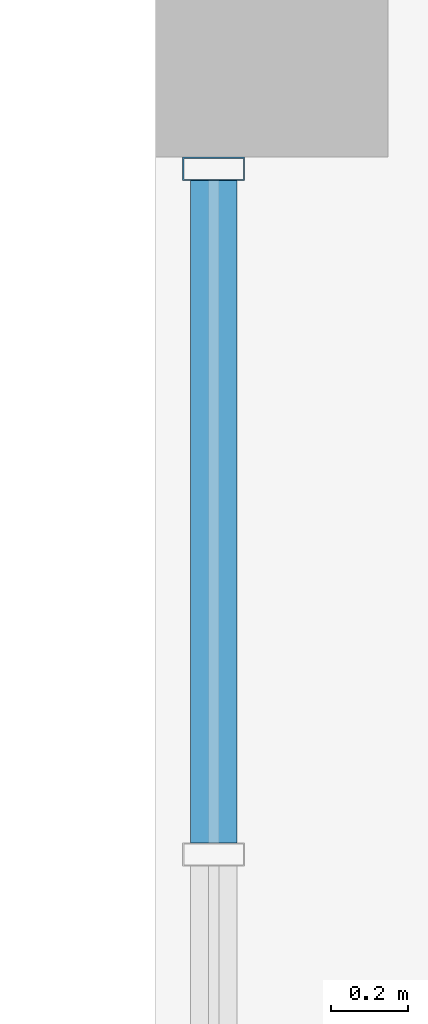
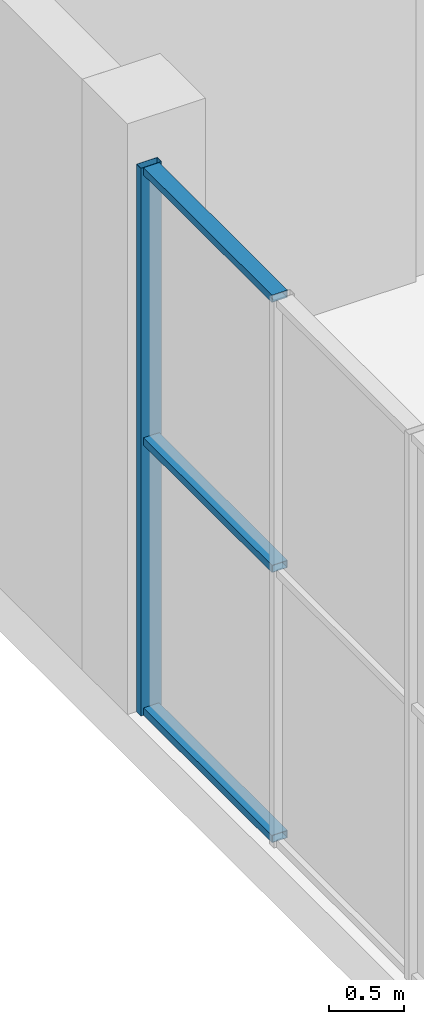
# One storey, part 11 of 45: 4 members, 1 element without a shape of its own.
"""IFC4 building model written with IfcOpenShell, lengths in metres."""

from ifc_helpers import new_model, si_unit, direction, frame, origin, origin_2d, place, context, subcontext, project, spatial, hollow_rectangle, extrude, material, layer, layer_set, material_profile, profile_set, type_object, element, aggregate, save


model = new_model("IFC4")

# Units and contexts
model_context = context("Model", 3, precision=1e-05, world=origin(), true_north=direction((0.0, 1.0)))
body_context = subcontext(model_context, "Body", "Model", "MODEL_VIEW")
ifc_project = project(units=[si_unit("LENGTHUNIT", "METRE"), si_unit("AREAUNIT", "SQUARE_METRE"), si_unit("VOLUMEUNIT", "CUBIC_METRE"), si_unit("PLANEANGLEUNIT", "RADIAN"), si_unit("MASSUNIT", "GRAM", prefix="KILO")], contexts=[model_context])

# Site, building, storey
site_placement = place(None, origin())
site = spatial("IfcSite", under=ifc_project, at=site_placement, CompositionType="ELEMENT")
building_placement = place(site_placement, origin())
building = spatial("IfcBuilding", under=site, at=building_placement, Name="Nakaniwa Court", CompositionType="ELEMENT")
storey_placement = place(building_placement, frame((0.0, 0.0, 6.60009765625)))
storey = spatial("IfcBuildingStorey", under=building, at=storey_placement, Name="L01", CompositionType="ELEMENT", Elevation=6.60009765625)

# Curtain wall, members
ifc_material_1 = material(Name="Dark low-E laminated glass in black aluminium frame", Category="aluminium")
ifc_layer = layer(ifc_material_1, 0.159912109375)
ifc_layer_set = layer_set([ifc_layer], Name="Dark low-E laminated glass in black aluminium frame")
curtain_wall_type = type_object("IfcCurtainWallType", Name="Hall foyer curtain wall CW6", PredefinedType="NOTDEFINED", material=ifc_layer_set)
curtain_wall_placement = place(storey_placement, origin())
curtain_wall = element("IfcCurtainWall", 1, at=curtain_wall_placement, inside=storey, type_object=curtain_wall_type, Name="Foyer curtain wall L01:006", PredefinedType="NOTDEFINED")
ifc_material_2 = material(Name="Extruded aluminium 6063-T6 black anodised", Category="aluminium")
ifc_material_profile_1 = material_profile(ifc_material_2, hollow_rectangle(XDim=0.159912109375, YDim=0.06005859375, WallThickness=0.0029296875, at=origin_2d()), Name="CW mullion 160x60")
ifc_profile_set_1 = profile_set([ifc_material_profile_1], Name="Extruded aluminium 6063-T6 black anodised")
member_type_1 = type_object("IfcMemberType", Name="Curtain wall mullion 160x60", PredefinedType="MULLION", material=ifc_profile_set_1)
member_1_placement = place(storey_placement, frame((152.14990234375, 91.669921875, 0.0), z_axis=(0.0, 0.0, 1.0), x_axis=(-1.0, 0.0, 0.0)))
member_1 = element("IfcMember", 2, at=member_1_placement, type_object=member_type_1, Name="HCW-04 mullion 4", PredefinedType="MULLION", context=body_context, shape_type="SweptSolid", body=[
    extrude(hollow_rectangle(XDim=0.159912109375, YDim=0.06005859375, WallThickness=0.0029296875, at=origin_2d()), origin(), (0.0, 0.0, 1.0), 4.449951171875),
])
ifc_material_profile_2 = material_profile(ifc_material_2, hollow_rectangle(XDim=0.1201171875, YDim=0.06005859375, WallThickness=0.0029296875, at=origin_2d()), Name="CW transom 120x60")
ifc_profile_set_2 = profile_set([ifc_material_profile_2], Name="Extruded aluminium 6063-T6 black anodised")
member_type_2 = type_object("IfcMemberType", Name="Curtain wall transom 120x60", PredefinedType="USERDEFINED", material=ifc_profile_set_2)
member_2_placement = place(storey_placement, frame((152.14990234375, 89.929931640625, 0.02978515625), z_axis=(0.0, 1.0, 0.0), x_axis=(-1.0, 0.0, 0.0)))
member_2 = element("IfcMember", 3, at=member_2_placement, type_object=member_type_2, Name="HCW-04 transom 3.1", ObjectType="TRANSOM", PredefinedType="USERDEFINED", context=body_context, shape_type="SweptSolid", body=[
    extrude(hollow_rectangle(XDim=0.1201171875, YDim=0.06005859375, WallThickness=0.0029296875, at=origin_2d()), origin(), (0.0, 0.0, 1.0), 1.7099609375),
])
member_3_placement = place(storey_placement, frame((152.14990234375, 89.929931640625, 2.224853515625), z_axis=(0.0, 1.0, 0.0), x_axis=(-1.0, 0.0, 0.0)))
member_3 = element("IfcMember", 4, at=member_3_placement, type_object=member_type_2, Name="HCW-04 transom 3.2", ObjectType="TRANSOM", PredefinedType="USERDEFINED", context=body_context, shape_type="SweptSolid", body=[
    extrude(hollow_rectangle(XDim=0.1201171875, YDim=0.06005859375, WallThickness=0.0029296875, at=origin_2d()), origin(), (0.0, 0.0, 1.0), 1.7099609375),
])
member_4_placement = place(storey_placement, frame((152.14990234375, 89.929931640625, 4.419921875), z_axis=(0.0, 1.0, 0.0), x_axis=(-1.0, 0.0, 0.0)))
member_4 = element("IfcMember", 5, at=member_4_placement, type_object=member_type_2, Name="HCW-04 transom 3.3", ObjectType="TRANSOM", PredefinedType="USERDEFINED", context=body_context, shape_type="SweptSolid", body=[
    extrude(hollow_rectangle(XDim=0.1201171875, YDim=0.06005859375, WallThickness=0.0029296875, at=origin_2d()), origin(), (0.0, 0.0, 1.0), 1.7099609375),
])
aggregate(curtain_wall, [member_1, member_2, member_3, member_4])

save(model, "model.ifc")
